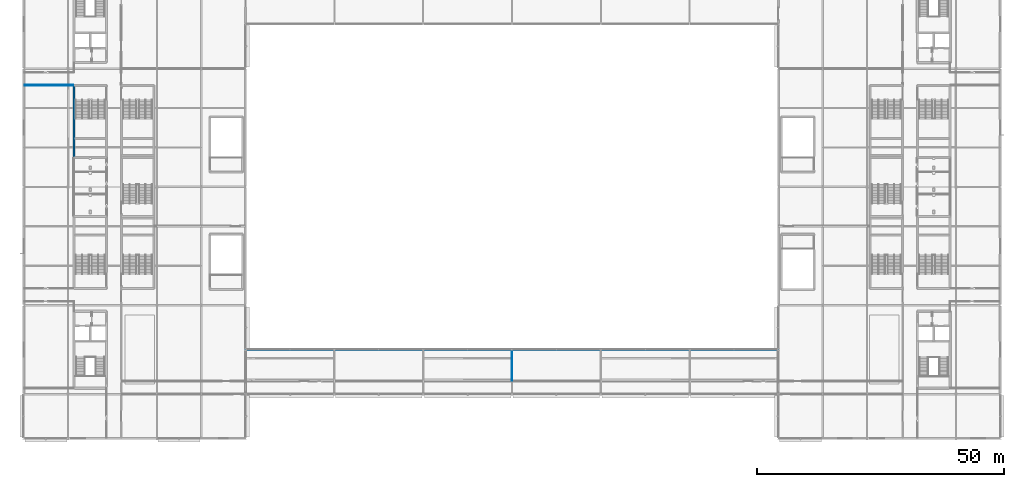
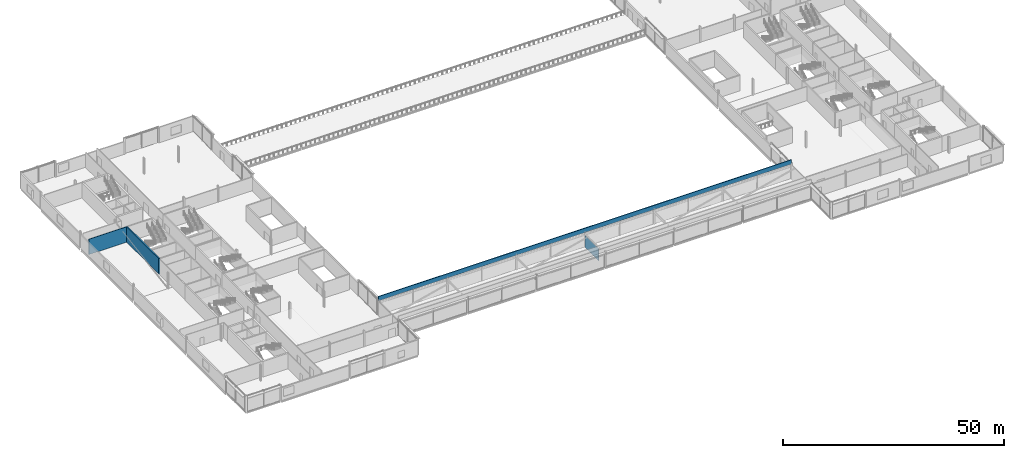
# One storey, part 40 of 73: 4 walls.
"""IFC4 building model written with IfcOpenShell, lengths in metres."""

import ifcopenshell
import ifcopenshell.guid

model = None  # the IFC model being written
_history = None  # IfcOwnerHistory: only IFC2X3 demands one
_inside = {}  # id of a spatial element -> (the spatial element, [elements in it])
_under = {}  # id of a project, library or spatial element -> (it, [spatial elements below it])
_declared = {}  # id of a project -> (the project, [libraries it declares])
_typed = {}  # id of a type object -> (the type object, [elements of that type])
_made_of = {}  # id of a material, layer set ... -> (it, [elements and type objects made of it])


def new_model(schema):
    """Start an empty IFC model of exactly this schema.

    Asked for "IFC4X3", IfcOpenShell would pick the latest addendum, in which some entities
    have other attributes; the version numbers below select the first issue.
    IFC2X3 requires an IfcOwnerHistory on every rooted entity: one is made here for all.
    """
    global model, _history
    if schema == "IFC4X3":
        model = ifcopenshell.file(schema_version=(4, 3, 0, 0))
    else:
        model = ifcopenshell.file(schema=schema)
    _inside.clear()
    _under.clear()
    _declared.clear()
    _typed.clear()
    _made_of.clear()
    _history = None
    if model.schema == "IFC2X3":
        org = make("IfcOrganization", Name="unknown")
        user = make(
            "IfcPersonAndOrganization",
            ThePerson=make("IfcPerson", FamilyName="unknown"),
            TheOrganization=org,
        )
        app = make(
            "IfcApplication",
            ApplicationDeveloper=org,
            Version="unknown",
            ApplicationFullName="unknown",
            ApplicationIdentifier="unknown",
        )
        _history = make(
            "IfcOwnerHistory",
            OwningUser=user,
            OwningApplication=app,
            ChangeAction="ADDED",
            CreationDate=0,
        )
    return model


def make(cls, **values):
    """One entity of the class cls with the attributes given. An attribute that is None is left unset."""
    return model.create_entity(
        cls, **{name: value for name, value in values.items() if value is not None}
    )


def rooted(cls, **values):
    """An entity with a GlobalId (a new one), such as an element, a storey or a relation."""
    return make(cls, GlobalId=ifcopenshell.guid.new(), OwnerHistory=_history, **values)


def si_unit(unit_type, name, prefix=None):
    """IfcSIUnit, for example si_unit("LENGTHUNIT", "METRE", prefix="MILLI")."""
    return make("IfcSIUnit", UnitType=unit_type, Prefix=prefix, Name=name)


def assignment(units):
    """IfcUnitAssignment: the units of a project."""
    return None if units is None else make("IfcUnitAssignment", Units=units)


def point(xyz):
    """IfcCartesianPoint."""
    return None if xyz is None else make("IfcCartesianPoint", Coordinates=xyz)


def direction(xyz):
    """IfcDirection."""
    return None if xyz is None else make("IfcDirection", DirectionRatios=xyz)


def frame(location, z_axis=None, x_axis=None):
    """IfcAxis2Placement3D, a coordinate frame: its origin and axes. An axis left out is left unset."""
    return make(
        "IfcAxis2Placement3D",
        Location=point(location),
        Axis=direction(z_axis),
        RefDirection=direction(x_axis),
    )


def frame_2d(location, x_axis=None):
    """IfcAxis2Placement2D, a coordinate frame in the plane: its origin and x axis."""
    return make(
        "IfcAxis2Placement2D", Location=point(location), RefDirection=direction(x_axis)
    )


def origin():
    """The frame at (0, 0, 0) with its axes left unset."""
    return frame((0.0, 0.0, 0.0))


def place(relative_to, where):
    """IfcLocalPlacement: puts the frame where relative to a parent placement (None: the world)."""
    return make(
        "IfcLocalPlacement", PlacementRelTo=relative_to, RelativePlacement=where
    )


def context(
    kind, dimensions, precision=None, world=None, true_north=None, identifier=None
):
    """IfcGeometricRepresentationContext, for example the 3D "Model" context."""
    return make(
        "IfcGeometricRepresentationContext",
        ContextIdentifier=identifier,
        ContextType=kind,
        CoordinateSpaceDimension=dimensions,
        Precision=precision,
        WorldCoordinateSystem=world,
        TrueNorth=true_north,
    )


def subcontext(parent, identifier, kind, view, scale=None):
    """IfcGeometricRepresentationSubContext, for example "Body" below "Model"."""
    return make(
        "IfcGeometricRepresentationSubContext",
        ContextIdentifier=identifier,
        ContextType=kind,
        ParentContext=parent,
        TargetScale=scale,
        TargetView=view,
    )


def project(units=None, contexts=None):
    """IfcProject with its units and contexts."""
    return rooted(
        "IfcProject",
        Name="project",
        RepresentationContexts=contexts,
        UnitsInContext=assignment(units),
    )


def spatial(cls, under=None, at=None, **own):
    """A site, building, storey or space (cls), placed at a placement, below another one or the project."""
    s = rooted(cls, ObjectPlacement=at, **own)
    if under is not None:
        _under.setdefault(under.id(), (under, []))[1].append(s)
    return s


def profile(cls, at=None, kind="AREA", **sizes):
    """A parametric profile (cls). Its sizes go by their IFC names, for example OverallWidth=200.0."""
    return make(cls, ProfileType=kind, Position=at, **sizes)


def rectangle(**sizes):
    """IfcRectangleProfileDef."""
    return profile("IfcRectangleProfileDef", **sizes)


def extrude(swept, where, along, depth):
    """IfcExtrudedAreaSolid: the profile swept, set in the frame where, extruded along a direction by depth."""
    return make(
        "IfcExtrudedAreaSolid",
        SweptArea=swept,
        Position=where,
        ExtrudedDirection=direction(along),
        Depth=depth,
    )


def shape(context_of_items, identifier, shape_type, items):
    """IfcShapeRepresentation: the items that make up one representation, for example the "Body"."""
    return make(
        "IfcShapeRepresentation",
        ContextOfItems=context_of_items,
        RepresentationIdentifier=identifier,
        RepresentationType=shape_type,
        Items=items,
    )


def material(Name=None, Category=None):
    """IfcMaterial."""
    return make("IfcMaterial", Name=Name, Category=Category)


def layer(
    of_material, thickness, ventilated=None, Name=None, Category=None, Priority=None
):
    """IfcMaterialLayer: one layer of a wall or slab, of a material (None: an air gap)."""
    return make(
        "IfcMaterialLayer",
        Material=of_material,
        LayerThickness=thickness,
        IsVentilated=ventilated,
        Name=Name,
        Category=Category,
        Priority=Priority,
    )


def layer_set(layers, Name=None):
    """IfcMaterialLayerSet."""
    return make("IfcMaterialLayerSet", MaterialLayers=layers, LayerSetName=Name)


def made_of(thing, what):
    """Note that an element or type object is made of a material, layer set ...; save() writes the relation."""
    if what is not None:
        _made_of.setdefault(what.id(), (what, []))[1].append(thing)
    return thing


def type_object(cls, material=None, **own):
    """A type object (cls), such as IfcWallType, which elements share."""
    return made_of(rooted(cls, **own), material)


def element(
    cls,
    number,
    at=None,
    inside=None,
    cuts=None,
    type_object=None,
    material=None,
    context=None,
    identifier="Body",
    shape_type=None,
    held_by="IfcProductDefinitionShape",
    body=None,
    shapes=None,
    **own,
):
    """One element of the class cls, such as IfcWall. Its Tag is "e" and its number.

    at: its placement. inside: the storey or other place that contains it. cuts: it is an
    opening in that element (IfcRelVoidsElement). A single representation is given by context,
    identifier, shape_type and body (its items); several are given by shapes. held_by: the class
    of the entity that holds the representations. save() writes the other relations.
    """
    e = rooted(cls, Tag="e%d" % number, ObjectPlacement=at, **own)
    if body is not None:
        shapes = [shape(context, identifier, shape_type, body)]
    if shapes is not None:
        e.Representation = make(held_by, Representations=shapes)
    if inside is not None:
        _inside.setdefault(inside.id(), (inside, []))[1].append(e)
    if cuts is not None:
        rooted(
            "IfcRelVoidsElement", RelatingBuildingElement=cuts, RelatedOpeningElement=e
        )
    if type_object is not None:
        _typed.setdefault(type_object.id(), (type_object, []))[1].append(e)
    return made_of(e, material)


def aggregate(whole, parts):
    """IfcRelAggregates: a whole, such as a stair, and the parts it consists of."""
    return rooted("IfcRelAggregates", RelatingObject=whole, RelatedObjects=parts)


def save(model, path):
    """Write the relations noted so far, then the file.

    IfcRelAggregates (storeys below a building ...), IfcRelContainedInSpatialStructure (elements
    in a storey), IfcRelDefinesByType, IfcRelAssociatesMaterial and IfcRelDeclares: one each for
    every whole, place, type object, material and project.
    """
    for whole, parts in _under.values():
        aggregate(whole, parts)
    for where, things in _inside.values():
        rooted(
            "IfcRelContainedInSpatialStructure",
            RelatedElements=things,
            RelatingStructure=where,
        )
    for kind, things in _typed.values():
        rooted("IfcRelDefinesByType", RelatedObjects=things, RelatingType=kind)
    for what, things in _made_of.values():
        rooted("IfcRelAssociatesMaterial", RelatedObjects=things, RelatingMaterial=what)
    for by, libraries in _declared.values():
        rooted("IfcRelDeclares", RelatingContext=by, RelatedDefinitions=libraries)
    model.write(path)


model = new_model("IFC4")

# Units and contexts
model_context = context("Model", 3, precision=1e-05, world=origin(), true_north=direction((0.0, 1.0)))
body_context = subcontext(model_context, "Body", "Model", "MODEL_VIEW")
ifc_project = project(units=[si_unit("LENGTHUNIT", "METRE"), si_unit("AREAUNIT", "SQUARE_METRE"), si_unit("VOLUMEUNIT", "CUBIC_METRE"), si_unit("PLANEANGLEUNIT", "RADIAN"), si_unit("MASSUNIT", "GRAM", prefix="KILO")], contexts=[model_context])

# Site, building, storey
site_placement = place(None, origin())
site = spatial("IfcSite", under=ifc_project, at=site_placement, CompositionType="ELEMENT")
building_placement = place(site_placement, origin())
building = spatial("IfcBuilding", under=site, at=building_placement, Name="Kisiwana Market Hall", CompositionType="ELEMENT")
storey_placement = place(building_placement, frame((0.0, 0.0, 33.300048828125)))
storey = spatial("IfcBuildingStorey", under=building, at=storey_placement, Name="L07", CompositionType="ELEMENT", Elevation=33.300048828125)

# Walls
ifc_material_1 = material(Name="Concrete C40/50", Category="concrete")
ifc_layer_1 = layer(ifc_material_1, 0.320068359375, Name="Reinforced concrete shaft wall")
ifc_layer_set_1 = layer_set([ifc_layer_1], Name="WL-CORE-320")
wall_type_1 = type_object("IfcWallType", Name="WL-CORE-320", PredefinedType="SHEAR", material=ifc_layer_set_1)
wall_1_placement = place(storey_placement, frame((10.199951171875, 66.0, 0.0), z_axis=(0.0, 0.0, 1.0), x_axis=(0.0, 1.0, 0.0)))
element("IfcWall", 1, at=wall_1_placement, inside=storey, type_object=wall_type_1, Name="Core W4 outer shear wall W-2121", PredefinedType="SHEAR", context=body_context, shape_type="SweptSolid", body=[
    extrude(rectangle(XDim=14.60009765625, YDim=0.320068359375, at=frame_2d((7.300048828125, 0.0))), origin(), (0.0, 0.0, 1.0), 4.2548828125),
])
ifc_material_2 = material(Name="Gypsum plasterboard")
ifc_layer_2 = layer(ifc_material_2, 0.125, Name="Double gypsum board + acoustic stud")
ifc_layer_set_2 = layer_set([ifc_layer_2], Name="WL-OFF-125")
wall_type_2 = type_object("IfcWallType", Name="WL-OFF-125", PredefinedType="PARTITIONING", material=ifc_layer_set_2)
wall_2_placement = place(storey_placement, frame((0.169921875, 80.60009765625, 0.0), z_axis=(0.0, 0.0, 1.0), x_axis=(1.0, 0.0, 0.0)))
element("IfcWall", 2, at=wall_2_placement, inside=storey, type_object=wall_type_2, Name="Interior partition W-2218", PredefinedType="PARTITIONING", context=body_context, shape_type="SweptSolid", body=[
    extrude(rectangle(XDim=9.8701171875, YDim=0.125, at=frame_2d((4.93505859375, 0.0))), origin(), (0.0, 0.0, 1.0), 4.2548828125),
])
wall_3_placement = place(storey_placement, frame((99.0, 20.68505859375, 0.0), z_axis=(0.0, 0.0, 1.0), x_axis=(0.0, 1.0, 0.0)))
element("IfcWall", 3, at=wall_3_placement, inside=storey, type_object=wall_type_2, Name="Interior partition W-2258", PredefinedType="PARTITIONING", context=body_context, shape_type="SweptSolid", body=[
    extrude(rectangle(XDim=6.23486328125, YDim=0.125, at=frame_2d((3.117431640625, 0.0))), origin(), (0.0, 0.0, 1.0), 3.2978515625),
])
ifc_material_3 = material(Name="Concrete C40/50", Category="concrete")
ifc_layer_3 = layer(ifc_material_3, 0.18994140625, Name="Podium edge upstand parapet")
ifc_layer_set_3 = layer_set([ifc_layer_3], Name="WL-PARA-190")
wall_type_3 = type_object("IfcWallType", Name="WL-PARA-190", PredefinedType="PARAPET", material=ifc_layer_set_3)
wall_4_placement = place(storey_placement, frame((45.0, 27.0, 4.050048828125), z_axis=(0.0, 0.0, 1.0), x_axis=(1.0, 0.0, 0.0)))
element("IfcWall", 4, at=wall_4_placement, inside=storey, type_object=wall_type_3, Name="Roof parapet wall W-2261", PredefinedType="PARAPET", context=body_context, shape_type="SweptSolid", body=[
    extrude(rectangle(XDim=108.0, YDim=0.18994140625, at=frame_2d((54.0, 0.0))), origin(), (0.0, 0.0, 1.0), 1.199951171875),
])

save(model, "model.ifc")
